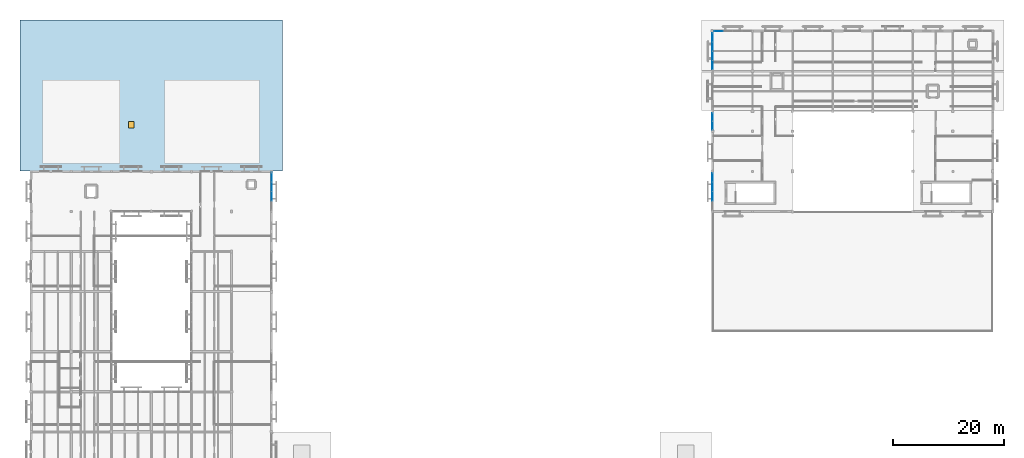
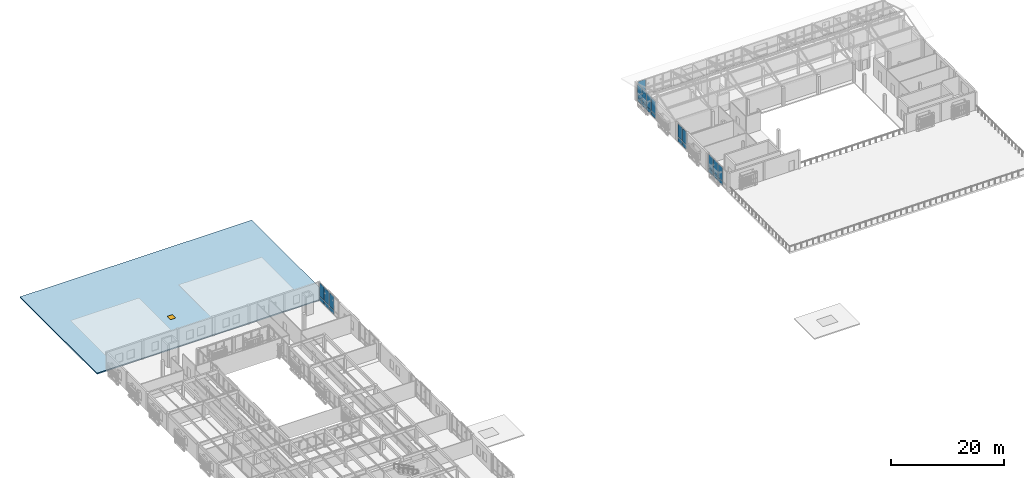
# One storey, part 43 of 61: 26 plates, 1 door, 1 slab, 1 opening, 5 elements without a shape of their own.
"""IFC4 building model written with IfcOpenShell, lengths in metres."""

from ifc_helpers import new_model, si_unit, direction, frame, origin, origin_2d, place, context, subcontext, project, spatial, polyline, rectangle, outline, extrude, material, layer, layer_set, type_object, element, fill, aggregate, save


model = new_model("IFC4")

# Units and contexts
model_context = context("Model", 3, precision=1e-05, world=origin(), true_north=direction((0.0, 1.0)))
body_context = subcontext(model_context, "Body", "Model", "MODEL_VIEW")
ifc_project = project(units=[si_unit("LENGTHUNIT", "METRE"), si_unit("AREAUNIT", "SQUARE_METRE"), si_unit("VOLUMEUNIT", "CUBIC_METRE"), si_unit("PLANEANGLEUNIT", "RADIAN"), si_unit("MASSUNIT", "GRAM", prefix="KILO")], contexts=[model_context])

# Site, building, storey
site_placement = place(None, origin())
site = spatial("IfcSite", under=ifc_project, at=site_placement, CompositionType="ELEMENT")
building_placement = place(site_placement, origin())
building = spatial("IfcBuilding", under=site, at=building_placement, Name="Mazaris Harbour Polytechnic", CompositionType="ELEMENT")
storey_placement = place(building_placement, frame((0.0, 0.0, 18.0)))
storey = spatial("IfcBuildingStorey", under=building, at=storey_placement, Name="L04", CompositionType="ELEMENT", Elevation=18.0)

# Slab, opening, door
ifc_material_1 = material(Name="Glulam GL28h and Concrete C30/37", Category="concrete")
ifc_layer_1 = layer(ifc_material_1, 0.239990234375, Name="Glulam GL28h and Concrete C30/37")
ifc_layer_set_1 = layer_set([ifc_layer_1], Name="Glulam GL28h and Concrete C30/37")
slab_type = type_object("IfcSlabType", Name="Insulated Flat Roof Slab 240", PredefinedType="ROOF", material=ifc_layer_set_1)
slab_placement = place(storey_placement, frame((0.0, 0.0, -0.239990234375)))
slab = element("IfcSlab", 1, at=slab_placement, inside=storey, type_object=slab_type, Name="V4 North Setback Roof", PredefinedType="ROOF", context=body_context, shape_type="SweptSolid", body=[
    extrude(outline(polyline([(45.199951171875, 75.64990234375), (45.199951171875, 102.800048828125), (-2.0, 102.800048828125), (-2.0, 75.64990234375), (45.199951171875, 75.64990234375)])), origin(), (0.0, 0.0, 1.0), 0.239990234375),
])
opening_placement = place(slab_placement, frame((18.0, 84.0, 0.0)))
opening = element("IfcOpeningElement", 2, at=opening_placement, cuts=slab, Name="Opening HT-01", PredefinedType="OPENING", context=body_context, shape_type="SweptSolid", body=[
    extrude(rectangle(XDim=1.0, YDim=1.199951171875, at=origin_2d()), origin(), (0.0, 0.0, 1.0), 0.239990234375),
])
ifc_material_2 = material(Name="Galvanised Steel S355", Category="steel")
door_type = type_object("IfcDoorType", Name="Insulated Roof Access Hatch 1000x1200", OperationType="SINGLE_SWING_LEFT", PredefinedType="TRAPDOOR", material=ifc_material_2)
door_placement = place(opening_placement, frame((0.0, 0.0, 0.18994140625)))
door = element("IfcDoor", 3, at=door_placement, inside=storey, type_object=door_type, Name="HT-02", OperationType="SINGLE_SWING_LEFT", OverallHeight=1.199951171875, OverallWidth=1.0, PredefinedType="TRAPDOOR", context=body_context, shape_type="SweptSolid", body=[
    extrude(rectangle(XDim=1.0, YDim=1.199951171875, at=origin_2d()), origin(), (0.0, 0.0, 1.0), 0.050048828125),
])
fill(opening, door)

# Curtain wall, plates
ifc_material_3 = material(Name="Anodised Bronze Aluminium and Low-E Glass", Category="aluminium")
ifc_layer_2 = layer(ifc_material_3, 0.159912109375, Name="Anodised Bronze Aluminium and Low-E Glass")
ifc_layer_set_2 = layer_set([ifc_layer_2], Name="Anodised Bronze Aluminium and Low-E Glass")
curtain_wall_type_1 = type_object("IfcCurtainWallType", Name="Cloister Court Curtain Wall", PredefinedType="NOTDEFINED", material=ifc_layer_set_2)
curtain_wall_1_placement = place(storey_placement, origin())
curtain_wall_1 = element("IfcCurtainWall", 4, at=curtain_wall_1_placement, inside=storey, type_object=curtain_wall_type_1, Name="V4 L04 Curtain Wall 166", PredefinedType="NOTDEFINED")
ifc_material_4 = material(Name="Low-E Double Glazing", Category="glass")
ifc_layer_3 = layer(ifc_material_4, 0.028076171875, Name="Low-E Double Glazing")
ifc_layer_set_3 = layer_set([ifc_layer_3], Name="Low-E Double Glazing")
plate_type_1 = type_object("IfcPlateType", Name="Low-E Vision Glass Panel 28", PredefinedType="CURTAIN_PANEL", material=ifc_layer_set_3)
plate_1_placement = place(storey_placement, frame((43.199951171875, 74.52587890625, 0.080078125), z_axis=(0.0, 0.0, 1.0), x_axis=(0.0, -1.0, 0.0)))
plate_1 = element("IfcPlate", 5, at=plate_1_placement, type_object=plate_type_1, Name="CW-02 panel 1.1", PredefinedType="CURTAIN_PANEL", context=body_context, shape_type="SweptSolid", body=[
    extrude(rectangle(XDim=1.583984375, YDim=0.028076171875, at=origin_2d()), origin(), (0.0, 0.0, 1.0), 0.830078125),
])
plate_2_placement = place(storey_placement, frame((43.199951171875, 74.52587890625, 0.990234375), z_axis=(0.0, 0.0, 1.0), x_axis=(0.0, -1.0, 0.0)))
plate_2 = element("IfcPlate", 6, at=plate_2_placement, type_object=plate_type_1, Name="CW-02 panel 1.2", PredefinedType="CURTAIN_PANEL", context=body_context, shape_type="SweptSolid", body=[
    extrude(rectangle(XDim=1.583984375, YDim=0.028076171875, at=origin_2d()), origin(), (0.0, 0.0, 1.0), 2.864990234375),
])
plate_3_placement = place(storey_placement, frame((43.199951171875, 72.842041015625, 0.080078125), z_axis=(0.0, 0.0, 1.0), x_axis=(0.0, -1.0, 0.0)))
plate_3 = element("IfcPlate", 7, at=plate_3_placement, type_object=plate_type_1, Name="CW-02 panel 2.1", PredefinedType="CURTAIN_PANEL", context=body_context, shape_type="SweptSolid", body=[
    extrude(rectangle(XDim=1.6240234375, YDim=0.028076171875, at=origin_2d()), origin(), (0.0, 0.0, 1.0), 0.830078125),
])
plate_4_placement = place(storey_placement, frame((43.199951171875, 72.842041015625, 0.990234375), z_axis=(0.0, 0.0, 1.0), x_axis=(0.0, -1.0, 0.0)))
plate_4 = element("IfcPlate", 8, at=plate_4_placement, type_object=plate_type_1, Name="CW-02 panel 2.2", PredefinedType="CURTAIN_PANEL", context=body_context, shape_type="SweptSolid", body=[
    extrude(rectangle(XDim=1.6240234375, YDim=0.028076171875, at=origin_2d()), origin(), (0.0, 0.0, 1.0), 2.864990234375),
])
plate_5_placement = place(storey_placement, frame((43.199951171875, 71.137939453125, 0.080078125), z_axis=(0.0, 0.0, 1.0), x_axis=(0.0, -1.0, 0.0)))
plate_5 = element("IfcPlate", 9, at=plate_5_placement, type_object=plate_type_1, Name="CW-02 panel 3.1", PredefinedType="CURTAIN_PANEL", context=body_context, shape_type="SweptSolid", body=[
    extrude(rectangle(XDim=1.6240234375, YDim=0.028076171875, at=origin_2d()), origin(), (0.0, 0.0, 1.0), 0.830078125),
])
plate_6_placement = place(storey_placement, frame((43.199951171875, 71.137939453125, 0.990234375), z_axis=(0.0, 0.0, 1.0), x_axis=(0.0, -1.0, 0.0)))
plate_6 = element("IfcPlate", 10, at=plate_6_placement, type_object=plate_type_1, Name="CW-02 panel 3.2", PredefinedType="CURTAIN_PANEL", context=body_context, shape_type="SweptSolid", body=[
    extrude(rectangle(XDim=1.6240234375, YDim=0.028076171875, at=origin_2d()), origin(), (0.0, 0.0, 1.0), 2.864990234375),
])
aggregate(curtain_wall_1, [plate_1, plate_2, plate_3, plate_4, plate_5, plate_6])

ifc_material_5 = material(Name="Anodised Bronze Aluminium and Low-E Glass", Category="aluminium")
ifc_layer_4 = layer(ifc_material_5, 0.169921875, Name="Anodised Bronze Aluminium and Low-E Glass")
ifc_layer_set_4 = layer_set([ifc_layer_4], Name="Anodised Bronze Aluminium and Low-E Glass")
curtain_wall_type_2 = type_object("IfcCurtainWallType", Name="Studio North-Light Curtain Wall", PredefinedType="NOTDEFINED", material=ifc_layer_set_4)
curtain_wall_2_placement = place(storey_placement, origin())
curtain_wall_2 = element("IfcCurtainWall", 11, at=curtain_wall_2_placement, inside=storey, type_object=curtain_wall_type_2, Name="V5 L04 Curtain Wall 271", PredefinedType="NOTDEFINED")
ifc_material_6 = material(Name="Solar-Control Low-E Glazing", Category="glass")
ifc_layer_5 = layer(ifc_material_6, 0.031982421875, Name="Solar-Control Low-E Glazing")
ifc_layer_set_5 = layer_set([ifc_layer_5], Name="Solar-Control Low-E Glazing")
plate_type_2 = type_object("IfcPlateType", Name="Solar Control Studio Glass Panel 32", PredefinedType="CURTAIN_PANEL", material=ifc_layer_set_5)
plate_7_placement = place(storey_placement, frame((123.48388671875, 100.800048828125, 0.080078125), z_axis=(0.0, 0.0, 1.0), x_axis=(1.0, 0.0, 0.0)))
plate_7 = element("IfcPlate", 12, at=plate_7_placement, type_object=plate_type_2, Name="CW-03 panel 1.1", PredefinedType="CURTAIN_PANEL", context=body_context, shape_type="SweptSolid", body=[
    extrude(rectangle(XDim=1.583984375, YDim=0.031982421875, at=origin_2d()), origin(), (0.0, 0.0, 1.0), 0.830078125),
])
plate_8_placement = place(storey_placement, frame((123.48388671875, 100.800048828125, 0.990234375), z_axis=(0.0, 0.0, 1.0), x_axis=(1.0, 0.0, 0.0)))
plate_8 = element("IfcPlate", 13, at=plate_8_placement, type_object=plate_type_2, Name="CW-03 panel 1.2", PredefinedType="CURTAIN_PANEL", context=body_context, shape_type="SweptSolid", body=[
    extrude(rectangle(XDim=1.583984375, YDim=0.031982421875, at=origin_2d()), origin(), (0.0, 0.0, 1.0), 2.889892578125),
])
aggregate(curtain_wall_2, [plate_7, plate_8])

curtain_wall_3_placement = place(storey_placement, origin())
curtain_wall_3 = element("IfcCurtainWall", 14, at=curtain_wall_3_placement, inside=storey, type_object=curtain_wall_type_2, Name="V5 L04 Curtain Wall 275", PredefinedType="NOTDEFINED")
plate_9_placement = place(storey_placement, frame((122.39990234375, 71.14306640625, 0.080078125), z_axis=(0.0, 0.0, 1.0), x_axis=(0.0, 1.0, 0.0)))
plate_9 = element("IfcPlate", 15, at=plate_9_placement, type_object=plate_type_2, Name="CW-03 panel 2.1", PredefinedType="CURTAIN_PANEL", context=body_context, shape_type="SweptSolid", body=[
    extrude(rectangle(XDim=1.614013671875, YDim=0.031982421875, at=origin_2d()), origin(), (0.0, 0.0, 1.0), 0.830078125),
])
plate_10_placement = place(storey_placement, frame((122.39990234375, 71.14306640625, 0.990234375), z_axis=(0.0, 0.0, 1.0), x_axis=(0.0, 1.0, 0.0)))
plate_10 = element("IfcPlate", 16, at=plate_10_placement, type_object=plate_type_2, Name="CW-03 panel 2.2", PredefinedType="CURTAIN_PANEL", context=body_context, shape_type="SweptSolid", body=[
    extrude(rectangle(XDim=1.614013671875, YDim=0.031982421875, at=origin_2d()), origin(), (0.0, 0.0, 1.0), 2.889892578125),
])
plate_11_placement = place(storey_placement, frame((122.39990234375, 72.8369140625, 0.080078125), z_axis=(0.0, 0.0, 1.0), x_axis=(0.0, 1.0, 0.0)))
plate_11 = element("IfcPlate", 17, at=plate_11_placement, type_object=plate_type_2, Name="CW-03 panel 3.1", PredefinedType="CURTAIN_PANEL", context=body_context, shape_type="SweptSolid", body=[
    extrude(rectangle(XDim=1.614013671875, YDim=0.031982421875, at=origin_2d()), origin(), (0.0, 0.0, 1.0), 0.830078125),
])
plate_12_placement = place(storey_placement, frame((122.39990234375, 72.8369140625, 0.990234375), z_axis=(0.0, 0.0, 1.0), x_axis=(0.0, 1.0, 0.0)))
plate_12 = element("IfcPlate", 18, at=plate_12_placement, type_object=plate_type_2, Name="CW-03 panel 3.2", PredefinedType="CURTAIN_PANEL", context=body_context, shape_type="SweptSolid", body=[
    extrude(rectangle(XDim=1.614013671875, YDim=0.031982421875, at=origin_2d()), origin(), (0.0, 0.0, 1.0), 2.889892578125),
])
plate_13_placement = place(storey_placement, frame((122.39990234375, 74.510986328125, 0.080078125), z_axis=(0.0, 0.0, 1.0), x_axis=(0.0, 1.0, 0.0)))
plate_13 = element("IfcPlate", 19, at=plate_13_placement, type_object=plate_type_2, Name="CW-03 panel 4.1", PredefinedType="CURTAIN_PANEL", context=body_context, shape_type="SweptSolid", body=[
    extrude(rectangle(XDim=1.573974609375, YDim=0.031982421875, at=origin_2d()), origin(), (0.0, 0.0, 1.0), 0.830078125),
])
plate_14_placement = place(storey_placement, frame((122.39990234375, 74.510986328125, 0.990234375), z_axis=(0.0, 0.0, 1.0), x_axis=(0.0, 1.0, 0.0)))
plate_14 = element("IfcPlate", 20, at=plate_14_placement, type_object=plate_type_2, Name="CW-03 panel 4.2", PredefinedType="CURTAIN_PANEL", context=body_context, shape_type="SweptSolid", body=[
    extrude(rectangle(XDim=1.573974609375, YDim=0.031982421875, at=origin_2d()), origin(), (0.0, 0.0, 1.0), 2.889892578125),
])
aggregate(curtain_wall_3, [plate_9, plate_10, plate_11, plate_12, plate_13, plate_14])

curtain_wall_4_placement = place(storey_placement, origin())
curtain_wall_4 = element("IfcCurtainWall", 21, at=curtain_wall_4_placement, inside=storey, type_object=curtain_wall_type_2, Name="V5 L04 Curtain Wall 276", PredefinedType="NOTDEFINED")
plate_15_placement = place(storey_placement, frame((122.39990234375, 83.843505859375, 0.080078125), z_axis=(0.0, 0.0, 1.0), x_axis=(0.0, 1.0, 0.0)))
plate_15 = element("IfcPlate", 22, at=plate_15_placement, type_object=plate_type_2, Name="CW-03 panel 1.1", PredefinedType="CURTAIN_PANEL", context=body_context, shape_type="SweptSolid", body=[
    extrude(rectangle(XDim=1.443115234375, YDim=0.031982421875, at=origin_2d()), origin(), (0.0, 0.0, 1.0), 0.830078125),
])
plate_16_placement = place(storey_placement, frame((122.39990234375, 83.843505859375, 0.990234375), z_axis=(0.0, 0.0, 1.0), x_axis=(0.0, 1.0, 0.0)))
plate_16 = element("IfcPlate", 23, at=plate_16_placement, type_object=plate_type_2, Name="CW-03 panel 1.2", PredefinedType="CURTAIN_PANEL", context=body_context, shape_type="SweptSolid", body=[
    extrude(rectangle(XDim=1.443115234375, YDim=0.031982421875, at=origin_2d()), origin(), (0.0, 0.0, 1.0), 2.889892578125),
])
plate_17_placement = place(storey_placement, frame((122.39990234375, 85.366455078125, 0.080078125), z_axis=(0.0, 0.0, 1.0), x_axis=(0.0, 1.0, 0.0)))
plate_17 = element("IfcPlate", 24, at=plate_17_placement, type_object=plate_type_2, Name="CW-03 panel 2.1", PredefinedType="CURTAIN_PANEL", context=body_context, shape_type="SweptSolid", body=[
    extrude(rectangle(XDim=1.443115234375, YDim=0.031982421875, at=origin_2d()), origin(), (0.0, 0.0, 1.0), 0.830078125),
])
plate_18_placement = place(storey_placement, frame((122.39990234375, 85.366455078125, 0.990234375), z_axis=(0.0, 0.0, 1.0), x_axis=(0.0, 1.0, 0.0)))
plate_18 = element("IfcPlate", 25, at=plate_18_placement, type_object=plate_type_2, Name="CW-03 panel 2.2", PredefinedType="CURTAIN_PANEL", context=body_context, shape_type="SweptSolid", body=[
    extrude(rectangle(XDim=1.443115234375, YDim=0.031982421875, at=origin_2d()), origin(), (0.0, 0.0, 1.0), 2.889892578125),
])
aggregate(curtain_wall_4, [plate_15, plate_16, plate_17, plate_18])

curtain_wall_5_placement = place(storey_placement, origin())
curtain_wall_5 = element("IfcCurtainWall", 26, at=curtain_wall_5_placement, inside=storey, type_object=curtain_wall_type_2, Name="V5 L04 Curtain Wall 277", PredefinedType="NOTDEFINED")
plate_19_placement = place(storey_placement, frame((122.39990234375, 94.712646484375, 0.080078125), z_axis=(0.0, 0.0, 1.0), x_axis=(0.0, 1.0, 0.0)))
plate_19 = element("IfcPlate", 27, at=plate_19_placement, type_object=plate_type_2, Name="CW-03 panel 1.1", PredefinedType="CURTAIN_PANEL", context=body_context, shape_type="SweptSolid", body=[
    extrude(rectangle(XDim=1.54150390625, YDim=0.031982421875, at=origin_2d()), origin(), (0.0, 0.0, 1.0), 0.830078125),
])
plate_20_placement = place(storey_placement, frame((122.39990234375, 94.712646484375, 0.990234375), z_axis=(0.0, 0.0, 1.0), x_axis=(0.0, 1.0, 0.0)))
plate_20 = element("IfcPlate", 28, at=plate_20_placement, type_object=plate_type_2, Name="CW-03 panel 1.2", PredefinedType="CURTAIN_PANEL", context=body_context, shape_type="SweptSolid", body=[
    extrude(rectangle(XDim=1.54150390625, YDim=0.031982421875, at=origin_2d()), origin(), (0.0, 0.0, 1.0), 2.889892578125),
])
plate_21_placement = place(storey_placement, frame((122.39990234375, 96.354248046875, 0.080078125), z_axis=(0.0, 0.0, 1.0), x_axis=(0.0, 1.0, 0.0)))
plate_21 = element("IfcPlate", 29, at=plate_21_placement, type_object=plate_type_2, Name="CW-03 panel 2.1", PredefinedType="CURTAIN_PANEL", context=body_context, shape_type="SweptSolid", body=[
    extrude(rectangle(XDim=1.58154296875, YDim=0.031982421875, at=origin_2d()), origin(), (0.0, 0.0, 1.0), 0.830078125),
])
plate_22_placement = place(storey_placement, frame((122.39990234375, 96.354248046875, 0.990234375), z_axis=(0.0, 0.0, 1.0), x_axis=(0.0, 1.0, 0.0)))
plate_22 = element("IfcPlate", 30, at=plate_22_placement, type_object=plate_type_2, Name="CW-03 panel 2.2", PredefinedType="CURTAIN_PANEL", context=body_context, shape_type="SweptSolid", body=[
    extrude(rectangle(XDim=1.58154296875, YDim=0.031982421875, at=origin_2d()), origin(), (0.0, 0.0, 1.0), 2.889892578125),
])
plate_23_placement = place(storey_placement, frame((122.39990234375, 98.015869140625, 0.080078125), z_axis=(0.0, 0.0, 1.0), x_axis=(0.0, 1.0, 0.0)))
plate_23 = element("IfcPlate", 31, at=plate_23_placement, type_object=plate_type_2, Name="CW-03 panel 3.1", PredefinedType="CURTAIN_PANEL", context=body_context, shape_type="SweptSolid", body=[
    extrude(rectangle(XDim=1.58154296875, YDim=0.031982421875, at=origin_2d()), origin(), (0.0, 0.0, 1.0), 0.830078125),
])
plate_24_placement = place(storey_placement, frame((122.39990234375, 98.015869140625, 0.990234375), z_axis=(0.0, 0.0, 1.0), x_axis=(0.0, 1.0, 0.0)))
plate_24 = element("IfcPlate", 32, at=plate_24_placement, type_object=plate_type_2, Name="CW-03 panel 3.2", PredefinedType="CURTAIN_PANEL", context=body_context, shape_type="SweptSolid", body=[
    extrude(rectangle(XDim=1.58154296875, YDim=0.031982421875, at=origin_2d()), origin(), (0.0, 0.0, 1.0), 2.889892578125),
])
plate_25_placement = place(storey_placement, frame((122.39990234375, 99.6572265625, 0.080078125), z_axis=(0.0, 0.0, 1.0), x_axis=(0.0, 1.0, 0.0)))
plate_25 = element("IfcPlate", 33, at=plate_25_placement, type_object=plate_type_2, Name="CW-03 panel 4.1", PredefinedType="CURTAIN_PANEL", context=body_context, shape_type="SweptSolid", body=[
    extrude(rectangle(XDim=1.54150390625, YDim=0.031982421875, at=origin_2d()), origin(), (0.0, 0.0, 1.0), 0.830078125),
])
plate_26_placement = place(storey_placement, frame((122.39990234375, 99.6572265625, 0.990234375), z_axis=(0.0, 0.0, 1.0), x_axis=(0.0, 1.0, 0.0)))
plate_26 = element("IfcPlate", 34, at=plate_26_placement, type_object=plate_type_2, Name="CW-03 panel 4.2", PredefinedType="CURTAIN_PANEL", context=body_context, shape_type="SweptSolid", body=[
    extrude(rectangle(XDim=1.54150390625, YDim=0.031982421875, at=origin_2d()), origin(), (0.0, 0.0, 1.0), 2.889892578125),
])
aggregate(curtain_wall_5, [plate_19, plate_20, plate_21, plate_22, plate_23, plate_24, plate_25, plate_26])

save(model, "model.ifc")
